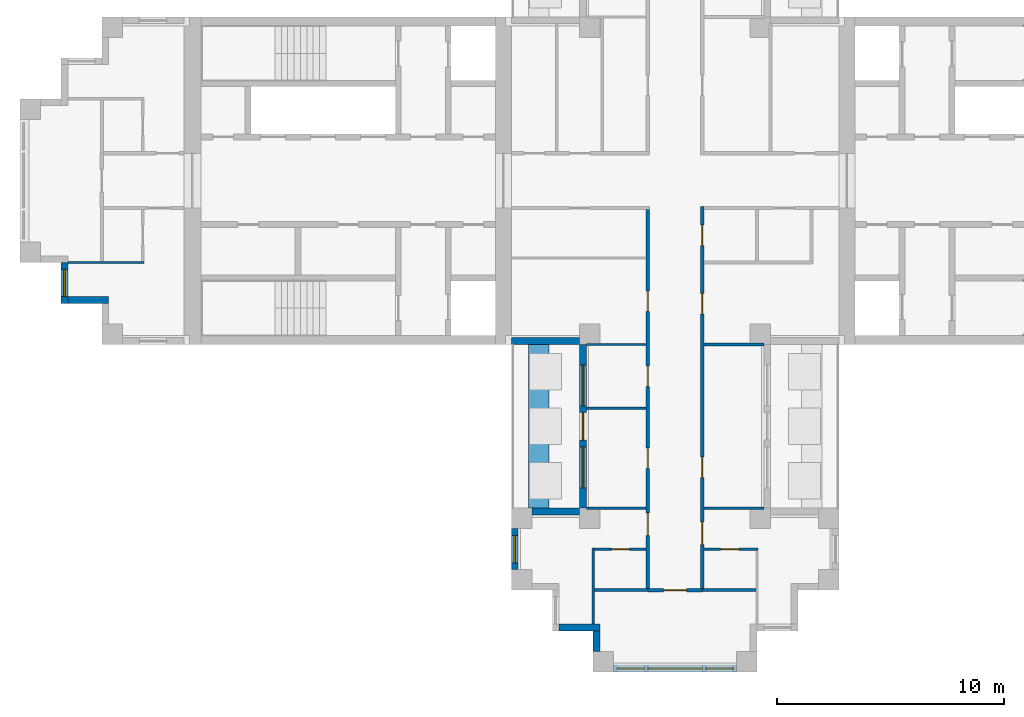
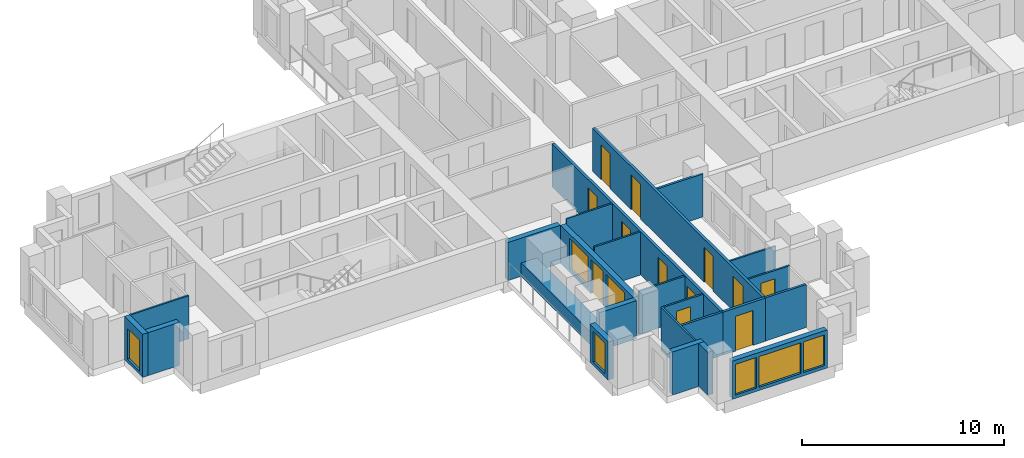
# One storey, part 2 of 10: 24 walls, 12 doors, 7 windows, 19 openings.
"""IFC4 building model written with IfcOpenShell, lengths in metres."""

import ifcopenshell
import ifcopenshell.guid

model = None  # the IFC model being written
_history = None  # IfcOwnerHistory: only IFC2X3 demands one
_inside = {}  # id of a spatial element -> (the spatial element, [elements in it])
_under = {}  # id of a project, library or spatial element -> (it, [spatial elements below it])
_declared = {}  # id of a project -> (the project, [libraries it declares])
_typed = {}  # id of a type object -> (the type object, [elements of that type])
_made_of = {}  # id of a material, layer set ... -> (it, [elements and type objects made of it])


def new_model(schema):
    """Start an empty IFC model of exactly this schema.

    Asked for "IFC4X3", IfcOpenShell would pick the latest addendum, in which some entities
    have other attributes; the version numbers below select the first issue.
    IFC2X3 requires an IfcOwnerHistory on every rooted entity: one is made here for all.
    """
    global model, _history
    if schema == "IFC4X3":
        model = ifcopenshell.file(schema_version=(4, 3, 0, 0))
    else:
        model = ifcopenshell.file(schema=schema)
    _inside.clear()
    _under.clear()
    _declared.clear()
    _typed.clear()
    _made_of.clear()
    _history = None
    if model.schema == "IFC2X3":
        org = make("IfcOrganization", Name="unknown")
        user = make(
            "IfcPersonAndOrganization",
            ThePerson=make("IfcPerson", FamilyName="unknown"),
            TheOrganization=org,
        )
        app = make(
            "IfcApplication",
            ApplicationDeveloper=org,
            Version="unknown",
            ApplicationFullName="unknown",
            ApplicationIdentifier="unknown",
        )
        _history = make(
            "IfcOwnerHistory",
            OwningUser=user,
            OwningApplication=app,
            ChangeAction="ADDED",
            CreationDate=0,
        )
    return model


def make(cls, **values):
    """One entity of the class cls with the attributes given. An attribute that is None is left unset."""
    return model.create_entity(
        cls, **{name: value for name, value in values.items() if value is not None}
    )


def rooted(cls, **values):
    """An entity with a GlobalId (a new one), such as an element, a storey or a relation."""
    return make(cls, GlobalId=ifcopenshell.guid.new(), OwnerHistory=_history, **values)


def si_unit(unit_type, name, prefix=None):
    """IfcSIUnit, for example si_unit("LENGTHUNIT", "METRE", prefix="MILLI")."""
    return make("IfcSIUnit", UnitType=unit_type, Prefix=prefix, Name=name)


def assignment(units):
    """IfcUnitAssignment: the units of a project."""
    return None if units is None else make("IfcUnitAssignment", Units=units)


def point(xyz):
    """IfcCartesianPoint."""
    return None if xyz is None else make("IfcCartesianPoint", Coordinates=xyz)


def direction(xyz):
    """IfcDirection."""
    return None if xyz is None else make("IfcDirection", DirectionRatios=xyz)


def frame(location, z_axis=None, x_axis=None):
    """IfcAxis2Placement3D, a coordinate frame: its origin and axes. An axis left out is left unset."""
    return make(
        "IfcAxis2Placement3D",
        Location=point(location),
        Axis=direction(z_axis),
        RefDirection=direction(x_axis),
    )


def frame_2d(location, x_axis=None):
    """IfcAxis2Placement2D, a coordinate frame in the plane: its origin and x axis."""
    return make(
        "IfcAxis2Placement2D", Location=point(location), RefDirection=direction(x_axis)
    )


def origin():
    """The frame at (0, 0, 0) with its axes left unset."""
    return frame((0.0, 0.0, 0.0))


def place(relative_to, where):
    """IfcLocalPlacement: puts the frame where relative to a parent placement (None: the world)."""
    return make(
        "IfcLocalPlacement", PlacementRelTo=relative_to, RelativePlacement=where
    )


def context(
    kind, dimensions, precision=None, world=None, true_north=None, identifier=None
):
    """IfcGeometricRepresentationContext, for example the 3D "Model" context."""
    return make(
        "IfcGeometricRepresentationContext",
        ContextIdentifier=identifier,
        ContextType=kind,
        CoordinateSpaceDimension=dimensions,
        Precision=precision,
        WorldCoordinateSystem=world,
        TrueNorth=true_north,
    )


def subcontext(parent, identifier, kind, view, scale=None):
    """IfcGeometricRepresentationSubContext, for example "Body" below "Model"."""
    return make(
        "IfcGeometricRepresentationSubContext",
        ContextIdentifier=identifier,
        ContextType=kind,
        ParentContext=parent,
        TargetScale=scale,
        TargetView=view,
    )


def project(units=None, contexts=None):
    """IfcProject with its units and contexts."""
    return rooted(
        "IfcProject",
        Name="project",
        RepresentationContexts=contexts,
        UnitsInContext=assignment(units),
    )


def spatial(cls, under=None, at=None, **own):
    """A site, building, storey or space (cls), placed at a placement, below another one or the project."""
    s = rooted(cls, ObjectPlacement=at, **own)
    if under is not None:
        _under.setdefault(under.id(), (under, []))[1].append(s)
    return s


def profile(cls, at=None, kind="AREA", **sizes):
    """A parametric profile (cls). Its sizes go by their IFC names, for example OverallWidth=200.0."""
    return make(cls, ProfileType=kind, Position=at, **sizes)


def rectangle(**sizes):
    """IfcRectangleProfileDef."""
    return profile("IfcRectangleProfileDef", **sizes)


def extrude(swept, where, along, depth):
    """IfcExtrudedAreaSolid: the profile swept, set in the frame where, extruded along a direction by depth."""
    return make(
        "IfcExtrudedAreaSolid",
        SweptArea=swept,
        Position=where,
        ExtrudedDirection=direction(along),
        Depth=depth,
    )


def shape(context_of_items, identifier, shape_type, items):
    """IfcShapeRepresentation: the items that make up one representation, for example the "Body"."""
    return make(
        "IfcShapeRepresentation",
        ContextOfItems=context_of_items,
        RepresentationIdentifier=identifier,
        RepresentationType=shape_type,
        Items=items,
    )


def material(Name=None, Category=None):
    """IfcMaterial."""
    return make("IfcMaterial", Name=Name, Category=Category)


def layer(
    of_material, thickness, ventilated=None, Name=None, Category=None, Priority=None
):
    """IfcMaterialLayer: one layer of a wall or slab, of a material (None: an air gap)."""
    return make(
        "IfcMaterialLayer",
        Material=of_material,
        LayerThickness=thickness,
        IsVentilated=ventilated,
        Name=Name,
        Category=Category,
        Priority=Priority,
    )


def layer_set(layers, Name=None):
    """IfcMaterialLayerSet."""
    return make("IfcMaterialLayerSet", MaterialLayers=layers, LayerSetName=Name)


def made_of(thing, what):
    """Note that an element or type object is made of a material, layer set ...; save() writes the relation."""
    if what is not None:
        _made_of.setdefault(what.id(), (what, []))[1].append(thing)
    return thing


def type_object(cls, material=None, **own):
    """A type object (cls), such as IfcWallType, which elements share."""
    return made_of(rooted(cls, **own), material)


def element(
    cls,
    number,
    at=None,
    inside=None,
    cuts=None,
    type_object=None,
    material=None,
    context=None,
    identifier="Body",
    shape_type=None,
    held_by="IfcProductDefinitionShape",
    body=None,
    shapes=None,
    **own,
):
    """One element of the class cls, such as IfcWall. Its Tag is "e" and its number.

    at: its placement. inside: the storey or other place that contains it. cuts: it is an
    opening in that element (IfcRelVoidsElement). A single representation is given by context,
    identifier, shape_type and body (its items); several are given by shapes. held_by: the class
    of the entity that holds the representations. save() writes the other relations.
    """
    e = rooted(cls, Tag="e%d" % number, ObjectPlacement=at, **own)
    if body is not None:
        shapes = [shape(context, identifier, shape_type, body)]
    if shapes is not None:
        e.Representation = make(held_by, Representations=shapes)
    if inside is not None:
        _inside.setdefault(inside.id(), (inside, []))[1].append(e)
    if cuts is not None:
        rooted(
            "IfcRelVoidsElement", RelatingBuildingElement=cuts, RelatedOpeningElement=e
        )
    if type_object is not None:
        _typed.setdefault(type_object.id(), (type_object, []))[1].append(e)
    return made_of(e, material)


def fill(opening, filler):
    """IfcRelFillsElement: the door or window that sits in an opening."""
    return rooted(
        "IfcRelFillsElement",
        RelatingOpeningElement=opening,
        RelatedBuildingElement=filler,
    )


def aggregate(whole, parts):
    """IfcRelAggregates: a whole, such as a stair, and the parts it consists of."""
    return rooted("IfcRelAggregates", RelatingObject=whole, RelatedObjects=parts)


def save(model, path):
    """Write the relations noted so far, then the file.

    IfcRelAggregates (storeys below a building ...), IfcRelContainedInSpatialStructure (elements
    in a storey), IfcRelDefinesByType, IfcRelAssociatesMaterial and IfcRelDeclares: one each for
    every whole, place, type object, material and project.
    """
    for whole, parts in _under.values():
        aggregate(whole, parts)
    for where, things in _inside.values():
        rooted(
            "IfcRelContainedInSpatialStructure",
            RelatedElements=things,
            RelatingStructure=where,
        )
    for kind, things in _typed.values():
        rooted("IfcRelDefinesByType", RelatedObjects=things, RelatingType=kind)
    for what, things in _made_of.values():
        rooted("IfcRelAssociatesMaterial", RelatedObjects=things, RelatingMaterial=what)
    for by, libraries in _declared.values():
        rooted("IfcRelDeclares", RelatingContext=by, RelatedDefinitions=libraries)
    model.write(path)


model = new_model("IFC4")

# Units and contexts
model_context = context("Model", 3, precision=1e-05, world=origin(), true_north=direction((0.0, 1.0)))
body_context = subcontext(model_context, "Body", "Model", "MODEL_VIEW")
ifc_project = project(units=[si_unit("LENGTHUNIT", "METRE"), si_unit("AREAUNIT", "SQUARE_METRE"), si_unit("VOLUMEUNIT", "CUBIC_METRE"), si_unit("PLANEANGLEUNIT", "RADIAN"), si_unit("MASSUNIT", "GRAM", prefix="KILO")], contexts=[model_context])

# Site, building, storey
site_placement = place(None, origin())
site = spatial("IfcSite", under=ifc_project, at=site_placement, CompositionType="ELEMENT")
building_placement = place(site_placement, origin())
building = spatial("IfcBuilding", under=site, at=building_placement, Name="Fustian Cross Tower", CompositionType="ELEMENT")
storey_placement = place(building_placement, frame((0.0, 0.0, 201.89990234375)))
storey = spatial("IfcBuildingStorey", under=building, at=storey_placement, Name="L63", CompositionType="ELEMENT", Elevation=201.89990234375)

# Wall, openings, doors
ifc_material_1 = material(Name="Plasterboard on steel stud", Category="steel")
ifc_layer_1 = layer(ifc_material_1, 0.14990234375)
ifc_layer_set_1 = layer_set([ifc_layer_1], Name="Plasterboard on steel stud")
wall_type_1 = type_object("IfcWallType", Name="COMPARTMENT WALL 150 EI 60", PredefinedType="PARTITIONING", material=ifc_layer_set_1)
wall_1_placement = place(storey_placement, frame((-1.199951171875, -17.925048828125, 0.0), z_axis=(0.0, 0.0, 1.0), x_axis=(0.0, 1.0, 0.0)))
wall_1 = element("IfcWall", 1, at=wall_1_placement, inside=storey, type_object=wall_type_1, Name="Partition 26", PredefinedType="PARTITIONING", context=body_context, shape_type="SweptSolid", body=[
    extrude(rectangle(XDim=16.650146484375, YDim=0.14990234375, at=frame_2d((8.3251953125, 0.0))), origin(), (0.0, 0.0, 1.0), 2.60009765625),
])
opening_1_placement = place(wall_1_placement, frame((12.175048828125, 0.0, 0.0)))
opening_1 = element("IfcOpeningElement", 2, at=opening_1_placement, cuts=wall_1, Name="Opening D29010", PredefinedType="OPENING", context=body_context, shape_type="SweptSolid", body=[
    extrude(rectangle(XDim=0.89990234375, YDim=2.10009765625, at=frame_2d((0.449951171875, 1.050048828125))), frame((0.0, 0.0849609375, 0.0), z_axis=(0.0, -1.0, 0.0), x_axis=(1.0, 0.0, 0.0)), (0.0, 0.0, 1.0), 0.169921875),
])
opening_2_placement = place(wall_1_placement, frame((8.875, 0.0, 0.0)))
opening_2 = element("IfcOpeningElement", 3, at=opening_2_placement, cuts=wall_1, Name="Opening D29030", PredefinedType="OPENING", context=body_context, shape_type="SweptSolid", body=[
    extrude(rectangle(XDim=0.89990234375, YDim=2.10009765625, at=frame_2d((0.449951171875, 1.050048828125))), frame((0.0, 0.0849609375, 0.0), z_axis=(0.0, -1.0, 0.0), x_axis=(1.0, 0.0, 0.0)), (0.0, 0.0, 1.0), 0.169921875),
])
opening_3_placement = place(wall_1_placement, frame((5.27490234375, 0.0, 0.0)))
opening_3 = element("IfcOpeningElement", 4, at=opening_3_placement, cuts=wall_1, Name="Opening D29031", PredefinedType="OPENING", context=body_context, shape_type="SweptSolid", body=[
    extrude(rectangle(XDim=0.89990234375, YDim=2.10009765625, at=frame_2d((0.449951171875, 1.050048828125))), frame((0.0, 0.0849609375, 0.0), z_axis=(0.0, -1.0, 0.0), x_axis=(1.0, 0.0, 0.0)), (0.0, 0.0, 1.0), 0.169921875),
])
opening_4_placement = place(wall_1_placement, frame((2.324951171875, 0.0, 0.0)))
opening_4 = element("IfcOpeningElement", 5, at=opening_4_placement, cuts=wall_1, Name="Opening D29033", PredefinedType="OPENING", context=body_context, shape_type="SweptSolid", body=[
    extrude(rectangle(XDim=1.0, YDim=2.10009765625, at=frame_2d((0.5, 1.050048828125))), frame((0.0, 0.0849609375, 0.0), z_axis=(0.0, -1.0, 0.0), x_axis=(1.0, 0.0, 0.0)), (0.0, 0.0, 1.0), 0.169921875),
])
ifc_material_2 = material(Name="Timber fire door set", Category="wood")
door_type_1 = type_object("IfcDoorType", Name="FIRE SWING DOOR 1000 FD30S", OperationType="SINGLE_SWING_LEFT", PredefinedType="DOOR", material=ifc_material_2)
door_1_placement = place(opening_4_placement, origin())
door_1 = element("IfcDoor", 6, at=door_1_placement, inside=storey, type_object=door_type_1, Name="Door D29033", OperationType="SINGLE_SWING_RIGHT", OverallHeight=2.10009765625, OverallWidth=1.0, PredefinedType="DOOR", context=body_context, shape_type="SweptSolid", body=[
    extrude(rectangle(XDim=1.0, YDim=2.10009765625, at=frame_2d((0.5, 1.050048828125))), frame((0.0, 0.02490234375, 0.0), z_axis=(0.0, -1.0, 0.0), x_axis=(1.0, 0.0, 0.0)), (0.0, 0.0, 1.0), 0.050048828125),
])
fill(opening_4, door_1)
ifc_material_3 = material(Name="Timber fire door set", Category="wood")
door_type_2 = type_object("IfcDoorType", Name="FIRE SWING DOOR 900 FD30S", OperationType="SINGLE_SWING_LEFT", PredefinedType="DOOR", material=ifc_material_3)
door_2_placement = place(opening_1_placement, origin())
door_2 = element("IfcDoor", 7, at=door_2_placement, inside=storey, type_object=door_type_2, Name="Door D29010", OperationType="SINGLE_SWING_RIGHT", OverallHeight=2.10009765625, OverallWidth=0.89990234375, PredefinedType="DOOR", context=body_context, shape_type="SweptSolid", body=[
    extrude(rectangle(XDim=0.89990234375, YDim=2.10009765625, at=frame_2d((0.449951171875, 1.050048828125))), frame((0.0, 0.02490234375, 0.0), z_axis=(0.0, -1.0, 0.0), x_axis=(1.0, 0.0, 0.0)), (0.0, 0.0, 1.0), 0.050048828125),
])
fill(opening_1, door_2)
door_3_placement = place(opening_2_placement, origin())
door_3 = element("IfcDoor", 8, at=door_3_placement, inside=storey, type_object=door_type_2, Name="Door D29030", OperationType="SINGLE_SWING_LEFT", OverallHeight=2.10009765625, OverallWidth=0.89990234375, PredefinedType="DOOR", context=body_context, shape_type="SweptSolid", body=[
    extrude(rectangle(XDim=0.89990234375, YDim=2.10009765625, at=frame_2d((0.449951171875, 1.050048828125))), frame((0.0, 0.02490234375, 0.0), z_axis=(0.0, -1.0, 0.0), x_axis=(1.0, 0.0, 0.0)), (0.0, 0.0, 1.0), 0.050048828125),
])
fill(opening_2, door_3)
door_4_placement = place(opening_3_placement, origin())
door_4 = element("IfcDoor", 9, at=door_4_placement, inside=storey, type_object=door_type_2, Name="Door D29031", OperationType="SINGLE_SWING_LEFT", OverallHeight=2.10009765625, OverallWidth=0.89990234375, PredefinedType="DOOR", context=body_context, shape_type="SweptSolid", body=[
    extrude(rectangle(XDim=0.89990234375, YDim=2.10009765625, at=frame_2d((0.449951171875, 1.050048828125))), frame((0.0, 0.02490234375, 0.0), z_axis=(0.0, -1.0, 0.0), x_axis=(1.0, 0.0, 0.0)), (0.0, 0.0, 1.0), 0.050048828125),
])
fill(opening_3, door_4)

# Wall, opening, door
wall_2_placement = place(storey_placement, frame((-1.199951171875, -18.0, 0.0), z_axis=(0.0, 0.0, 1.0), x_axis=(1.0, 0.0, 0.0)))
wall_2 = element("IfcWall", 10, at=wall_2_placement, inside=storey, type_object=wall_type_1, Name="Partition 27", PredefinedType="PARTITIONING", context=body_context, shape_type="SweptSolid", body=[
    extrude(rectangle(XDim=2.39990234375, YDim=0.14990234375, at=frame_2d((1.199951171875, 0.0))), origin(), (0.0, 0.0, 1.0), 2.60009765625),
])
opening_5_placement = place(wall_2_placement, frame((0.699951171875, 0.0, 0.0)))
opening_5 = element("IfcOpeningElement", 11, at=opening_5_placement, cuts=wall_2, Name="Opening D29026", PredefinedType="OPENING", context=body_context, shape_type="SweptSolid", body=[
    extrude(rectangle(XDim=1.0, YDim=2.10009765625, at=frame_2d((0.5, 1.050048828125))), frame((0.0, 0.0849609375, 0.0), z_axis=(0.0, -1.0, 0.0), x_axis=(1.0, 0.0, 0.0)), (0.0, 0.0, 1.0), 0.169921875),
])
door_5_placement = place(opening_5_placement, frame((1.0, 0.0, 0.0), z_axis=(0.0, 0.0, 1.0), x_axis=(-1.0, 0.0, 0.0)))
door_5 = element("IfcDoor", 12, at=door_5_placement, inside=storey, type_object=door_type_1, Name="Door D29026", OperationType="SINGLE_SWING_RIGHT", OverallHeight=2.10009765625, OverallWidth=1.0, PredefinedType="DOOR", context=body_context, shape_type="SweptSolid", body=[
    extrude(rectangle(XDim=1.0, YDim=2.10009765625, at=frame_2d((0.5, 1.050048828125))), frame((0.0, 0.02490234375, 0.0), z_axis=(0.0, -1.0, 0.0), x_axis=(1.0, 0.0, 0.0)), (0.0, 0.0, 1.0), 0.050048828125),
])
fill(opening_5, door_5)

# Wall, openings, doors
wall_3_placement = place(storey_placement, frame((1.199951171875, -17.925048828125, 0.0), z_axis=(0.0, 0.0, 1.0), x_axis=(0.0, 1.0, 0.0)))
wall_3 = element("IfcWall", 13, at=wall_3_placement, inside=storey, type_object=wall_type_1, Name="Partition 30", PredefinedType="PARTITIONING", context=body_context, shape_type="SweptSolid", body=[
    extrude(rectangle(XDim=16.800048828125, YDim=0.14990234375, at=frame_2d((8.39990234375, 0.0))), origin(), (0.0, 0.0, 1.0), 2.60009765625),
])
opening_6_placement = place(wall_3_placement, frame((15.074951171875, 0.0, 0.0)))
opening_6 = element("IfcOpeningElement", 14, at=opening_6_placement, cuts=wall_3, Name="Opening D29006", PredefinedType="OPENING", context=body_context, shape_type="SweptSolid", body=[
    extrude(rectangle(XDim=0.89990234375, YDim=2.10009765625, at=frame_2d((0.449951171875, 1.050048828125))), frame((0.0, 0.0849609375, 0.0), z_axis=(0.0, -1.0, 0.0), x_axis=(1.0, 0.0, 0.0)), (0.0, 0.0, 1.0), 0.169921875),
])
opening_7_placement = place(wall_3_placement, frame((12.074951171875, 0.0, 0.0)))
opening_7 = element("IfcOpeningElement", 15, at=opening_7_placement, cuts=wall_3, Name="Opening D29008", PredefinedType="OPENING", context=body_context, shape_type="SweptSolid", body=[
    extrude(rectangle(XDim=0.89990234375, YDim=2.10009765625, at=frame_2d((0.449951171875, 1.050048828125))), frame((0.0, 0.0849609375, 0.0), z_axis=(0.0, -1.0, 0.0), x_axis=(1.0, 0.0, 0.0)), (0.0, 0.0, 1.0), 0.169921875),
])
opening_8_placement = place(wall_3_placement, frame((4.875, 0.0, 0.0)))
opening_8 = element("IfcOpeningElement", 16, at=opening_8_placement, cuts=wall_3, Name="Opening D29027", PredefinedType="OPENING", context=body_context, shape_type="SweptSolid", body=[
    extrude(rectangle(XDim=0.89990234375, YDim=2.10009765625, at=frame_2d((0.449951171875, 1.050048828125))), frame((0.0, 0.0849609375, 0.0), z_axis=(0.0, -1.0, 0.0), x_axis=(1.0, 0.0, 0.0)), (0.0, 0.0, 1.0), 0.169921875),
])
opening_9_placement = place(wall_3_placement, frame((1.925048828125, 0.0, 0.0)))
opening_9 = element("IfcOpeningElement", 17, at=opening_9_placement, cuts=wall_3, Name="Opening D29029", PredefinedType="OPENING", context=body_context, shape_type="SweptSolid", body=[
    extrude(rectangle(XDim=1.0, YDim=2.10009765625, at=frame_2d((0.5, 1.050048828125))), frame((0.0, 0.0849609375, 0.0), z_axis=(0.0, -1.0, 0.0), x_axis=(1.0, 0.0, 0.0)), (0.0, 0.0, 1.0), 0.169921875),
])
door_6_placement = place(opening_9_placement, frame((1.0, 0.0, 0.0), z_axis=(0.0, 0.0, 1.0), x_axis=(-1.0, 0.0, 0.0)))
door_6 = element("IfcDoor", 18, at=door_6_placement, inside=storey, type_object=door_type_1, Name="Door D29029", OperationType="SINGLE_SWING_RIGHT", OverallHeight=2.10009765625, OverallWidth=1.0, PredefinedType="DOOR", context=body_context, shape_type="SweptSolid", body=[
    extrude(rectangle(XDim=1.0, YDim=2.10009765625, at=frame_2d((0.5, 1.050048828125))), frame((0.0, 0.02490234375, 0.0), z_axis=(0.0, -1.0, 0.0), x_axis=(1.0, 0.0, 0.0)), (0.0, 0.0, 1.0), 0.050048828125),
])
fill(opening_9, door_6)
door_7_placement = place(opening_6_placement, frame((0.89990234375, 0.0, 0.0), z_axis=(0.0, 0.0, 1.0), x_axis=(-1.0, 0.0, 0.0)))
door_7 = element("IfcDoor", 19, at=door_7_placement, inside=storey, type_object=door_type_2, Name="Door D29006", OperationType="SINGLE_SWING_RIGHT", OverallHeight=2.10009765625, OverallWidth=0.89990234375, PredefinedType="DOOR", context=body_context, shape_type="SweptSolid", body=[
    extrude(rectangle(XDim=0.89990234375, YDim=2.10009765625, at=frame_2d((0.449951171875, 1.050048828125))), frame((0.0, 0.02490234375, 0.0), z_axis=(0.0, -1.0, 0.0), x_axis=(1.0, 0.0, 0.0)), (0.0, 0.0, 1.0), 0.050048828125),
])
fill(opening_6, door_7)
door_8_placement = place(opening_7_placement, frame((0.89990234375, 0.0, 0.0), z_axis=(0.0, 0.0, 1.0), x_axis=(-1.0, 0.0, 0.0)))
door_8 = element("IfcDoor", 20, at=door_8_placement, inside=storey, type_object=door_type_2, Name="Door D29008", OperationType="SINGLE_SWING_RIGHT", OverallHeight=2.10009765625, OverallWidth=0.89990234375, PredefinedType="DOOR", context=body_context, shape_type="SweptSolid", body=[
    extrude(rectangle(XDim=0.89990234375, YDim=2.10009765625, at=frame_2d((0.449951171875, 1.050048828125))), frame((0.0, 0.02490234375, 0.0), z_axis=(0.0, -1.0, 0.0), x_axis=(1.0, 0.0, 0.0)), (0.0, 0.0, 1.0), 0.050048828125),
])
fill(opening_7, door_8)
door_9_placement = place(opening_8_placement, frame((0.89990234375, 0.0, 0.0), z_axis=(0.0, 0.0, 1.0), x_axis=(-1.0, 0.0, 0.0)))
door_9 = element("IfcDoor", 21, at=door_9_placement, inside=storey, type_object=door_type_2, Name="Door D29027", OperationType="SINGLE_SWING_RIGHT", OverallHeight=2.10009765625, OverallWidth=0.89990234375, PredefinedType="DOOR", context=body_context, shape_type="SweptSolid", body=[
    extrude(rectangle(XDim=0.89990234375, YDim=2.10009765625, at=frame_2d((0.449951171875, 1.050048828125))), frame((0.0, 0.02490234375, 0.0), z_axis=(0.0, -1.0, 0.0), x_axis=(1.0, 0.0, 0.0)), (0.0, 0.0, 1.0), 0.050048828125),
])
fill(opening_8, door_9)

# Walls
ifc_material_4 = material(Name="Plasterboard on steel stud", Category="steel")
ifc_layer_2 = layer(ifc_material_4, 0.10009765625)
ifc_layer_set_2 = layer_set([ifc_layer_2], Name="Plasterboard on steel stud")
wall_type_2 = type_object("IfcWallType", Name="PARTITION 100 STUD", PredefinedType="PARTITIONING", material=ifc_layer_set_2)
wall_4_placement = place(storey_placement, frame((-26.699951171875, -3.60009765625, 0.0), z_axis=(0.0, 0.0, 1.0), x_axis=(1.0, 0.0, 0.0)))
element("IfcWall", 22, at=wall_4_placement, inside=storey, type_object=wall_type_2, Name="Partition 1", PredefinedType="PARTITIONING", context=body_context, shape_type="SweptSolid", body=[
    extrude(rectangle(XDim=3.349853515625, YDim=0.10009765625, at=frame_2d((1.6748046875, 0.0))), origin(), (0.0, 0.0, 1.0), 2.60009765625),
])
for number, where, z_axis, x_axis, name in (
    (23, (-3.89990234375, -14.39990234375, 0.0), (0.0, 0.0, 1.0), (1.0, 0.0, 0.0), "Partition 14"),
    (24, (-3.89990234375, -10.0, 0.0), (0.0, 0.0, 1.0), (1.0, 0.0, 0.0), "Partition 15"),
    (25, (-3.89990234375, -7.199951171875, 0.0), (0.0, 0.0, 1.0), (1.0, 0.0, 0.0), "Partition 16"),
):
    element("IfcWall", number, at=place(storey_placement, frame(where, z_axis=z_axis, x_axis=x_axis)), inside=storey, type_object=wall_type_2, Name=name, PredefinedType="PARTITIONING", context=body_context, shape_type="SweptSolid", body=[
        extrude(rectangle(XDim=2.625, YDim=0.10009765625, at=frame_2d((1.3125, 0.0))), origin(), (0.0, 0.0, 1.0), 2.60009765625),
    ])
wall_5_placement = place(storey_placement, frame((-3.60009765625, -19.5, 0.0), z_axis=(0.0, 0.0, 1.0), x_axis=(0.0, 1.0, 0.0)))
element("IfcWall", 26, at=wall_5_placement, inside=storey, type_object=wall_type_2, Name="Partition 19", PredefinedType="PARTITIONING", context=body_context, shape_type="SweptSolid", body=[
    extrude(rectangle(XDim=3.35009765625, YDim=0.10009765625, at=frame_2d((1.675048828125, 0.0))), origin(), (0.0, 0.0, 1.0), 2.60009765625),
])

# Wall, opening, door
wall_6_placement = place(storey_placement, frame((-3.550048828125, -16.199951171875, 0.0), z_axis=(0.0, 0.0, 1.0), x_axis=(1.0, 0.0, 0.0)))
wall_6 = element("IfcWall", 27, at=wall_6_placement, inside=storey, type_object=wall_type_2, Name="Partition 21", PredefinedType="PARTITIONING", context=body_context, shape_type="SweptSolid", body=[
    extrude(rectangle(XDim=2.275146484375, YDim=0.10009765625, at=frame_2d((1.1376953125, 0.0))), origin(), (0.0, 0.0, 1.0), 2.60009765625),
])
opening_10_placement = place(wall_6_placement, frame((0.75, 0.0, 0.0)))
opening_10 = element("IfcOpeningElement", 28, at=opening_10_placement, cuts=wall_6, Name="Opening D29032", PredefinedType="OPENING", context=body_context, shape_type="SweptSolid", body=[
    extrude(rectangle(XDim=0.800048828125, YDim=2.10009765625, at=frame_2d((0.39990234375, 1.050048828125))), frame((0.0, 0.06005859375, 0.0), z_axis=(0.0, -1.0, 0.0), x_axis=(1.0, 0.0, 0.0)), (0.0, 0.0, 1.0), 0.1201171875),
])
ifc_material_5 = material(Name="Painted timber", Category="wood")
door_type_3 = type_object("IfcDoorType", Name="SWING DOOR 800", OperationType="SINGLE_SWING_LEFT", PredefinedType="DOOR", material=ifc_material_5)
door_10_placement = place(opening_10_placement, frame((0.800048828125, 0.0, 0.0), z_axis=(0.0, 0.0, 1.0), x_axis=(-1.0, 0.0, 0.0)))
door_10 = element("IfcDoor", 29, at=door_10_placement, inside=storey, type_object=door_type_3, Name="Door D29032", OperationType="SINGLE_SWING_RIGHT", OverallHeight=2.10009765625, OverallWidth=0.800048828125, PredefinedType="DOOR", context=body_context, shape_type="SweptSolid", body=[
    extrude(rectangle(XDim=0.800048828125, YDim=2.10009765625, at=frame_2d((0.39990234375, 1.050048828125))), frame((0.0, 0.02490234375, 0.0), z_axis=(0.0, -1.0, 0.0), x_axis=(1.0, 0.0, 0.0)), (0.0, 0.0, 1.0), 0.050048828125),
])
fill(opening_10, door_10)

wall_7_placement = place(storey_placement, frame((1.27490234375, -16.199951171875, 0.0), z_axis=(0.0, 0.0, 1.0), x_axis=(1.0, 0.0, 0.0)))
wall_7 = element("IfcWall", 30, at=wall_7_placement, inside=storey, type_object=wall_type_2, Name="Partition 32", PredefinedType="PARTITIONING", context=body_context, shape_type="SweptSolid", body=[
    extrude(rectangle(XDim=2.375, YDim=0.10009765625, at=frame_2d((1.1875, 0.0))), origin(), (0.0, 0.0, 1.0), 2.60009765625),
])
opening_11_placement = place(wall_7_placement, frame((0.72509765625, 0.0, 0.0)))
opening_11 = element("IfcOpeningElement", 31, at=opening_11_placement, cuts=wall_7, Name="Opening D29028", PredefinedType="OPENING", context=body_context, shape_type="SweptSolid", body=[
    extrude(rectangle(XDim=0.800048828125, YDim=2.10009765625, at=frame_2d((0.39990234375, 1.050048828125))), frame((0.0, 0.06005859375, 0.0), z_axis=(0.0, -1.0, 0.0), x_axis=(1.0, 0.0, 0.0)), (0.0, 0.0, 1.0), 0.1201171875),
])
door_11_placement = place(opening_11_placement, frame((0.800048828125, 0.0, 0.0), z_axis=(0.0, 0.0, 1.0), x_axis=(-1.0, 0.0, 0.0)))
door_11 = element("IfcDoor", 32, at=door_11_placement, inside=storey, type_object=door_type_3, Name="Door D29028", OperationType="SINGLE_SWING_RIGHT", OverallHeight=2.10009765625, OverallWidth=0.800048828125, PredefinedType="DOOR", context=body_context, shape_type="SweptSolid", body=[
    extrude(rectangle(XDim=0.800048828125, YDim=2.10009765625, at=frame_2d((0.39990234375, 1.050048828125))), frame((0.0, 0.02490234375, 0.0), z_axis=(0.0, -1.0, 0.0), x_axis=(1.0, 0.0, 0.0)), (0.0, 0.0, 1.0), 0.050048828125),
])
fill(opening_11, door_11)

# Walls
wall_8_placement = place(storey_placement, frame((1.27490234375, -14.39990234375, 0.0), z_axis=(0.0, 0.0, 1.0), x_axis=(1.0, 0.0, 0.0)))
element("IfcWall", 33, at=wall_8_placement, inside=storey, type_object=wall_type_2, Name="Partition 33", PredefinedType="PARTITIONING", context=body_context, shape_type="SweptSolid", body=[
    extrude(rectangle(XDim=2.625, YDim=0.10009765625, at=frame_2d((1.3125, 0.0))), origin(), (0.0, 0.0, 1.0), 2.60009765625),
])
ifc_material_6 = material(Name="Concrete C40/50", Category="concrete")
ifc_layer_3 = layer(ifc_material_6, 0.89990234375)
ifc_layer_set_3 = layer_set([ifc_layer_3], Name="Concrete C40/50")
wall_type_3 = type_object("IfcWallType", Name="PK1 PLANTER 900", PredefinedType="PARAPET", material=ifc_layer_set_3)
wall_9_placement = place(storey_placement, frame((-6.0, -14.39990234375, 0.0), z_axis=(0.0, 0.0, 1.0), x_axis=(0.0, 1.0, 0.0)))
element("IfcWall", 34, at=wall_9_placement, inside=storey, type_object=wall_type_3, Name="PLANTER", PredefinedType="PARAPET", context=body_context, shape_type="SweptSolid", body=[
    extrude(rectangle(XDim=7.199951171875, YDim=0.89990234375, at=frame_2d((3.60009765625, 0.0))), origin(), (0.0, 0.0, 1.0), 0.800048828125),
])
ifc_material_7 = material(Name="Plasterboard on steel stud", Category="steel")
ifc_layer_4 = layer(ifc_material_7, 0.125)
ifc_layer_set_4 = layer_set([ifc_layer_4], Name="Plasterboard on steel stud")
wall_type_4 = type_object("IfcWallType", Name="WET WALL 125 STUD", PredefinedType="PARTITIONING", material=ifc_layer_set_4)
for number, where, z_axis, x_axis, name in (
    (35, (-3.550048828125, -18.0, 0.0), (0.0, 0.0, 1.0), (1.0, 0.0, 0.0), "Partition 20"),
    (36, (1.199951171875, -18.0, 0.0), (0.0, 0.0, 1.0), (1.0, 0.0, 0.0), "Partition 31"),
):
    element("IfcWall", number, at=place(storey_placement, frame(where, z_axis=z_axis, x_axis=x_axis)), inside=storey, type_object=wall_type_4, Name=name, PredefinedType="PARTITIONING", context=body_context, shape_type="SweptSolid", body=[
        extrude(rectangle(XDim=2.35009765625, YDim=0.125, at=frame_2d((1.175048828125, 0.0))), origin(), (0.0, 0.0, 1.0), 2.60009765625),
    ])
wall_10_placement = place(storey_placement, frame((1.27490234375, -7.199951171875, 0.0), z_axis=(0.0, 0.0, 1.0), x_axis=(1.0, 0.0, 0.0)))
element("IfcWall", 37, at=wall_10_placement, inside=storey, type_object=wall_type_4, Name="Partition 34", PredefinedType="PARTITIONING", context=body_context, shape_type="SweptSolid", body=[
    extrude(rectangle(XDim=2.625, YDim=0.125, at=frame_2d((1.3125, 0.0))), origin(), (0.0, 0.0, 1.0), 2.60009765625),
])

# Wall, opening, window
ifc_material_8 = material(Name="Dark aluminium cladding on insulated backing wall", Category="aluminium")
ifc_layer_5 = layer(ifc_material_8, 0.300048828125)
ifc_layer_set_5 = layer_set([ifc_layer_5], Name="Dark aluminium cladding on insulated backing wall")
wall_type_5 = type_object("IfcWallType", Name="XW1 EXTERNAL WALL 300", PredefinedType="SOLIDWALL", material=ifc_layer_set_5)
wall_11_placement = place(storey_placement, frame((-26.85009765625, -3.60009765625, 0.0), z_axis=(0.0, 0.0, 1.0), x_axis=(0.0, -1.0, 0.0)))
wall_11 = element("IfcWall", 38, at=wall_11_placement, inside=storey, type_object=wall_type_5, Name="External wall", PredefinedType="SOLIDWALL", context=body_context, shape_type="SweptSolid", body=[
    extrude(rectangle(XDim=1.7998046875, YDim=0.300048828125, at=frame_2d((0.89990234375, 0.0))), origin(), (0.0, 0.0, 1.0), 2.60009765625),
])
opening_12_placement = place(wall_11_placement, frame((0.300048828125, 0.0, 0.199951171875)))
opening_12 = element("IfcOpeningElement", 39, at=opening_12_placement, cuts=wall_11, Name="Opening WN3", PredefinedType="OPENING", context=body_context, shape_type="SweptSolid", body=[
    extrude(rectangle(XDim=1.199951171875, YDim=1.85009765625, at=frame_2d((0.60009765625, 0.925048828125))), frame((0.0, 0.159912109375, 0.0), z_axis=(0.0, -1.0, 0.0), x_axis=(1.0, 0.0, 0.0)), (0.0, 0.0, 1.0), 0.320068359375),
])
ifc_material_9 = material(Name="Dark anodised aluminium and double glazing", Category="aluminium")
window_type_1 = type_object("IfcWindowType", Name="WN3 WINDOW 1200X1850", PartitioningType="SINGLE_PANEL", PredefinedType="WINDOW", material=ifc_material_9)
window_1_placement = place(opening_12_placement, origin())
window_1 = element("IfcWindow", 40, at=window_1_placement, inside=storey, type_object=window_type_1, Name="Window", OverallHeight=1.85009765625, OverallWidth=1.199951171875, PartitioningType="SINGLE_PANEL", PredefinedType="WINDOW", context=body_context, shape_type="SweptSolid", body=[
    extrude(rectangle(XDim=1.199951171875, YDim=1.85009765625, at=frame_2d((0.60009765625, 0.925048828125))), frame((0.0, 0.030029296875, 0.0), z_axis=(0.0, -1.0, 0.0), x_axis=(1.0, 0.0, 0.0)), (0.0, 0.0, 1.0), 0.06005859375),
])
fill(opening_12, window_1)

# Walls
wall_12_placement = place(storey_placement, frame((-26.699951171875, -5.25, 0.0), z_axis=(0.0, 0.0, 1.0), x_axis=(1.0, 0.0, 0.0)))
element("IfcWall", 41, at=wall_12_placement, inside=storey, type_object=wall_type_5, Name="External wall", PredefinedType="SOLIDWALL", context=body_context, shape_type="SweptSolid", body=[
    extrude(rectangle(XDim=1.800048828125, YDim=0.300048828125, at=frame_2d((0.89990234375, 0.0))), origin(), (0.0, 0.0, 1.0), 2.60009765625),
])
wall_13_placement = place(storey_placement, frame((-7.199951171875, -7.050048828125, 0.0), z_axis=(0.0, 0.0, 1.0), x_axis=(1.0, 0.0, 0.0)))
element("IfcWall", 42, at=wall_13_placement, inside=storey, type_object=wall_type_5, Name="External wall", PredefinedType="SOLIDWALL", context=body_context, shape_type="SweptSolid", body=[
    extrude(rectangle(XDim=3.0, YDim=0.300048828125, at=frame_2d((1.5, 0.0))), origin(), (0.0, 0.0, 1.0), 2.300048828125),
])

# Wall, openings, door, windows
wall_14_placement = place(storey_placement, frame((-4.050048828125, -7.199951171875, 0.0), z_axis=(0.0, 0.0, 1.0), x_axis=(0.0, -1.0, 0.0)))
wall_14 = element("IfcWall", 43, at=wall_14_placement, inside=storey, type_object=wall_type_5, Name="External wall", PredefinedType="SOLIDWALL", context=body_context, shape_type="SweptSolid", body=[
    extrude(rectangle(XDim=7.199951171875, YDim=0.300048828125, at=frame_2d((3.60009765625, 0.0))), origin(), (0.0, 0.0, 1.0), 2.300048828125),
])
opening_13_placement = place(wall_14_placement, frame((3.0, 0.0, 0.0)))
opening_13 = element("IfcOpeningElement", 44, at=opening_13_placement, cuts=wall_14, Name="Opening XD4", PredefinedType="OPENING", context=body_context, shape_type="SweptSolid", body=[
    extrude(rectangle(XDim=1.199951171875, YDim=2.050048828125, at=frame_2d((0.60009765625, 1.02490234375))), frame((0.0, 0.159912109375, 0.0), z_axis=(0.0, -1.0, 0.0), x_axis=(1.0, 0.0, 0.0)), (0.0, 0.0, 1.0), 0.320068359375),
])
opening_14_placement = place(wall_14_placement, frame((0.89990234375, 0.0, 0.199951171875)))
opening_14 = element("IfcOpeningElement", 45, at=opening_14_placement, cuts=wall_14, Name="Opening WN2", PredefinedType="OPENING", context=body_context, shape_type="SweptSolid", body=[
    extrude(rectangle(XDim=1.800048828125, YDim=1.85009765625, at=frame_2d((0.89990234375, 0.925048828125))), frame((0.0, 0.159912109375, 0.0), z_axis=(0.0, -1.0, 0.0), x_axis=(1.0, 0.0, 0.0)), (0.0, 0.0, 1.0), 0.320068359375),
])
opening_15_placement = place(wall_14_placement, frame((4.5, 0.0, 0.199951171875)))
opening_15 = element("IfcOpeningElement", 46, at=opening_15_placement, cuts=wall_14, Name="Opening WN2", PredefinedType="OPENING", context=body_context, shape_type="SweptSolid", body=[
    extrude(rectangle(XDim=1.800048828125, YDim=1.85009765625, at=frame_2d((0.89990234375, 0.925048828125))), frame((0.0, 0.159912109375, 0.0), z_axis=(0.0, -1.0, 0.0), x_axis=(1.0, 0.0, 0.0)), (0.0, 0.0, 1.0), 0.320068359375),
])
ifc_material_10 = material(Name="Dark anodised aluminium and double glazing", Category="aluminium")
door_type_4 = type_object("IfcDoorType", Name="ED1 BALCONY DOOR 1200X2050", OperationType="SINGLE_SWING_LEFT", PredefinedType="DOOR", material=ifc_material_10)
door_12_placement = place(opening_13_placement, origin())
door_12 = element("IfcDoor", 47, at=door_12_placement, inside=storey, type_object=door_type_4, Name="Balcony door", OperationType="SINGLE_SWING_LEFT", OverallHeight=2.050048828125, OverallWidth=1.199951171875, PredefinedType="DOOR", context=body_context, shape_type="SweptSolid", body=[
    extrude(rectangle(XDim=1.199951171875, YDim=2.050048828125, at=frame_2d((0.60009765625, 1.02490234375))), frame((0.0, 0.02490234375, 0.0), z_axis=(0.0, -1.0, 0.0), x_axis=(1.0, 0.0, 0.0)), (0.0, 0.0, 1.0), 0.050048828125),
])
fill(opening_13, door_12)
ifc_material_11 = material(Name="Dark anodised aluminium and double glazing", Category="aluminium")
window_type_2 = type_object("IfcWindowType", Name="WN2 WINDOW 1800X1850", PartitioningType="SINGLE_PANEL", PredefinedType="WINDOW", material=ifc_material_11)
window_2_placement = place(opening_14_placement, origin())
window_2 = element("IfcWindow", 48, at=window_2_placement, inside=storey, type_object=window_type_2, Name="Window", OverallHeight=1.85009765625, OverallWidth=1.800048828125, PartitioningType="SINGLE_PANEL", PredefinedType="WINDOW", context=body_context, shape_type="SweptSolid", body=[
    extrude(rectangle(XDim=1.800048828125, YDim=1.85009765625, at=frame_2d((0.89990234375, 0.925048828125))), frame((0.0, 0.030029296875, 0.0), z_axis=(0.0, -1.0, 0.0), x_axis=(1.0, 0.0, 0.0)), (0.0, 0.0, 1.0), 0.06005859375),
])
fill(opening_14, window_2)
window_3_placement = place(opening_15_placement, origin())
window_3 = element("IfcWindow", 49, at=window_3_placement, inside=storey, type_object=window_type_2, Name="Window", OverallHeight=1.85009765625, OverallWidth=1.800048828125, PartitioningType="SINGLE_PANEL", PredefinedType="WINDOW", context=body_context, shape_type="SweptSolid", body=[
    extrude(rectangle(XDim=1.800048828125, YDim=1.85009765625, at=frame_2d((0.89990234375, 0.925048828125))), frame((0.0, 0.030029296875, 0.0), z_axis=(0.0, -1.0, 0.0), x_axis=(1.0, 0.0, 0.0)), (0.0, 0.0, 1.0), 0.06005859375),
])
fill(opening_15, window_3)

# Wall
wall_15_placement = place(storey_placement, frame((-4.199951171875, -14.550048828125, 0.0), z_axis=(0.0, 0.0, 1.0), x_axis=(-1.0, 0.0, 0.0)))
element("IfcWall", 50, at=wall_15_placement, inside=storey, type_object=wall_type_5, Name="External wall", PredefinedType="SOLIDWALL", context=body_context, shape_type="SweptSolid", body=[
    extrude(rectangle(XDim=2.10009765625, YDim=0.300048828125, at=frame_2d((1.050048828125, 0.0))), origin(), (0.0, 0.0, 1.0), 2.300048828125),
])

# Wall, opening, window
wall_16_placement = place(storey_placement, frame((-7.050048828125, -15.300048828125, 0.0), z_axis=(0.0, 0.0, 1.0), x_axis=(0.0, -1.0, 0.0)))
wall_16 = element("IfcWall", 51, at=wall_16_placement, inside=storey, type_object=wall_type_5, Name="External wall", PredefinedType="SOLIDWALL", context=body_context, shape_type="SweptSolid", body=[
    extrude(rectangle(XDim=1.800048828125, YDim=0.300048828125, at=frame_2d((0.89990234375, 0.0))), origin(), (0.0, 0.0, 1.0), 2.300048828125),
])
opening_16_placement = place(wall_16_placement, frame((0.300048828125, 0.0, 0.199951171875)))
opening_16 = element("IfcOpeningElement", 52, at=opening_16_placement, cuts=wall_16, Name="Opening WN3", PredefinedType="OPENING", context=body_context, shape_type="SweptSolid", body=[
    extrude(rectangle(XDim=1.199951171875, YDim=1.85009765625, at=frame_2d((0.60009765625, 0.925048828125))), frame((0.0, 0.159912109375, 0.0), z_axis=(0.0, -1.0, 0.0), x_axis=(1.0, 0.0, 0.0)), (0.0, 0.0, 1.0), 0.320068359375),
])
window_4_placement = place(opening_16_placement, origin())
window_4 = element("IfcWindow", 53, at=window_4_placement, inside=storey, type_object=window_type_1, Name="Window", OverallHeight=1.85009765625, OverallWidth=1.199951171875, PartitioningType="SINGLE_PANEL", PredefinedType="WINDOW", context=body_context, shape_type="SweptSolid", body=[
    extrude(rectangle(XDim=1.199951171875, YDim=1.85009765625, at=frame_2d((0.60009765625, 0.925048828125))), frame((0.0, 0.030029296875, 0.0), z_axis=(0.0, -1.0, 0.0), x_axis=(1.0, 0.0, 0.0)), (0.0, 0.0, 1.0), 0.06005859375),
])
fill(opening_16, window_4)

# Walls
wall_17_placement = place(storey_placement, frame((-5.10009765625, -19.64990234375, 0.0), z_axis=(0.0, 0.0, 1.0), x_axis=(1.0, 0.0, 0.0)))
element("IfcWall", 54, at=wall_17_placement, inside=storey, type_object=wall_type_5, Name="External wall", PredefinedType="SOLIDWALL", context=body_context, shape_type="SweptSolid", body=[
    extrude(rectangle(XDim=1.800048828125, YDim=0.300048828125, at=frame_2d((0.89990234375, 0.0))), origin(), (0.0, 0.0, 1.0), 2.60009765625),
])
wall_18_placement = place(storey_placement, frame((-3.449951171875, -19.800048828125, 0.0), z_axis=(0.0, 0.0, 1.0), x_axis=(0.0, -1.0, 0.0)))
element("IfcWall", 55, at=wall_18_placement, inside=storey, type_object=wall_type_5, Name="External wall", PredefinedType="SOLIDWALL", context=body_context, shape_type="SweptSolid", body=[
    extrude(rectangle(XDim=0.89990234375, YDim=0.300048828125, at=frame_2d((0.449951171875, 0.0))), origin(), (0.0, 0.0, 1.0), 2.60009765625),
])

# Wall, openings, windows
wall_19_placement = place(storey_placement, frame((-2.699951171875, -21.449951171875, 0.0), z_axis=(0.0, 0.0, 1.0), x_axis=(1.0, 0.0, 0.0)))
wall_19 = element("IfcWall", 56, at=wall_19_placement, inside=storey, type_object=wall_type_5, Name="External wall", PredefinedType="SOLIDWALL", context=body_context, shape_type="SweptSolid", body=[
    extrude(rectangle(XDim=5.39990234375, YDim=0.300048828125, at=frame_2d((2.699951171875, 0.0))), origin(), (0.0, 0.0, 1.0), 2.300048828125),
])
opening_17_placement = place(wall_19_placement, frame((1.5, 0.0, 0.199951171875)))
opening_17 = element("IfcOpeningElement", 57, at=opening_17_placement, cuts=wall_19, Name="Opening WN1", PredefinedType="OPENING", context=body_context, shape_type="SweptSolid", body=[
    extrude(rectangle(XDim=2.39990234375, YDim=1.85009765625, at=frame_2d((1.199951171875, 0.925048828125))), frame((0.0, 0.159912109375, 0.0), z_axis=(0.0, -1.0, 0.0), x_axis=(1.0, 0.0, 0.0)), (0.0, 0.0, 1.0), 0.320068359375),
])
opening_18_placement = place(wall_19_placement, frame((0.14990234375, 0.0, 0.199951171875)))
opening_18 = element("IfcOpeningElement", 58, at=opening_18_placement, cuts=wall_19, Name="Opening WN3", PredefinedType="OPENING", context=body_context, shape_type="SweptSolid", body=[
    extrude(rectangle(XDim=1.199951171875, YDim=1.85009765625, at=frame_2d((0.60009765625, 0.925048828125))), frame((0.0, 0.159912109375, 0.0), z_axis=(0.0, -1.0, 0.0), x_axis=(1.0, 0.0, 0.0)), (0.0, 0.0, 1.0), 0.320068359375),
])
opening_19_placement = place(wall_19_placement, frame((4.050048828125, 0.0, 0.199951171875)))
opening_19 = element("IfcOpeningElement", 59, at=opening_19_placement, cuts=wall_19, Name="Opening WN3", PredefinedType="OPENING", context=body_context, shape_type="SweptSolid", body=[
    extrude(rectangle(XDim=1.199951171875, YDim=1.85009765625, at=frame_2d((0.60009765625, 0.925048828125))), frame((0.0, 0.159912109375, 0.0), z_axis=(0.0, -1.0, 0.0), x_axis=(1.0, 0.0, 0.0)), (0.0, 0.0, 1.0), 0.320068359375),
])
ifc_material_12 = material(Name="Dark anodised aluminium and double glazing", Category="aluminium")
window_type_3 = type_object("IfcWindowType", Name="WN1 WINDOW 2400X1850", PartitioningType="SINGLE_PANEL", PredefinedType="WINDOW", material=ifc_material_12)
window_5_placement = place(opening_17_placement, origin())
window_5 = element("IfcWindow", 60, at=window_5_placement, inside=storey, type_object=window_type_3, Name="Window", OverallHeight=1.85009765625, OverallWidth=2.39990234375, PartitioningType="SINGLE_PANEL", PredefinedType="WINDOW", context=body_context, shape_type="SweptSolid", body=[
    extrude(rectangle(XDim=2.39990234375, YDim=1.85009765625, at=frame_2d((1.199951171875, 0.925048828125))), frame((0.0, 0.030029296875, 0.0), z_axis=(0.0, -1.0, 0.0), x_axis=(1.0, 0.0, 0.0)), (0.0, 0.0, 1.0), 0.06005859375),
])
fill(opening_17, window_5)
window_6_placement = place(opening_18_placement, origin())
window_6 = element("IfcWindow", 61, at=window_6_placement, inside=storey, type_object=window_type_1, Name="Window", OverallHeight=1.85009765625, OverallWidth=1.199951171875, PartitioningType="SINGLE_PANEL", PredefinedType="WINDOW", context=body_context, shape_type="SweptSolid", body=[
    extrude(rectangle(XDim=1.199951171875, YDim=1.85009765625, at=frame_2d((0.60009765625, 0.925048828125))), frame((0.0, 0.030029296875, 0.0), z_axis=(0.0, -1.0, 0.0), x_axis=(1.0, 0.0, 0.0)), (0.0, 0.0, 1.0), 0.06005859375),
])
fill(opening_18, window_6)
window_7_placement = place(opening_19_placement, origin())
window_7 = element("IfcWindow", 62, at=window_7_placement, inside=storey, type_object=window_type_1, Name="Window", OverallHeight=1.85009765625, OverallWidth=1.199951171875, PartitioningType="SINGLE_PANEL", PredefinedType="WINDOW", context=body_context, shape_type="SweptSolid", body=[
    extrude(rectangle(XDim=1.199951171875, YDim=1.85009765625, at=frame_2d((0.60009765625, 0.925048828125))), frame((0.0, 0.030029296875, 0.0), z_axis=(0.0, -1.0, 0.0), x_axis=(1.0, 0.0, 0.0)), (0.0, 0.0, 1.0), 0.06005859375),
])
fill(opening_19, window_7)

save(model, "model.ifc")
